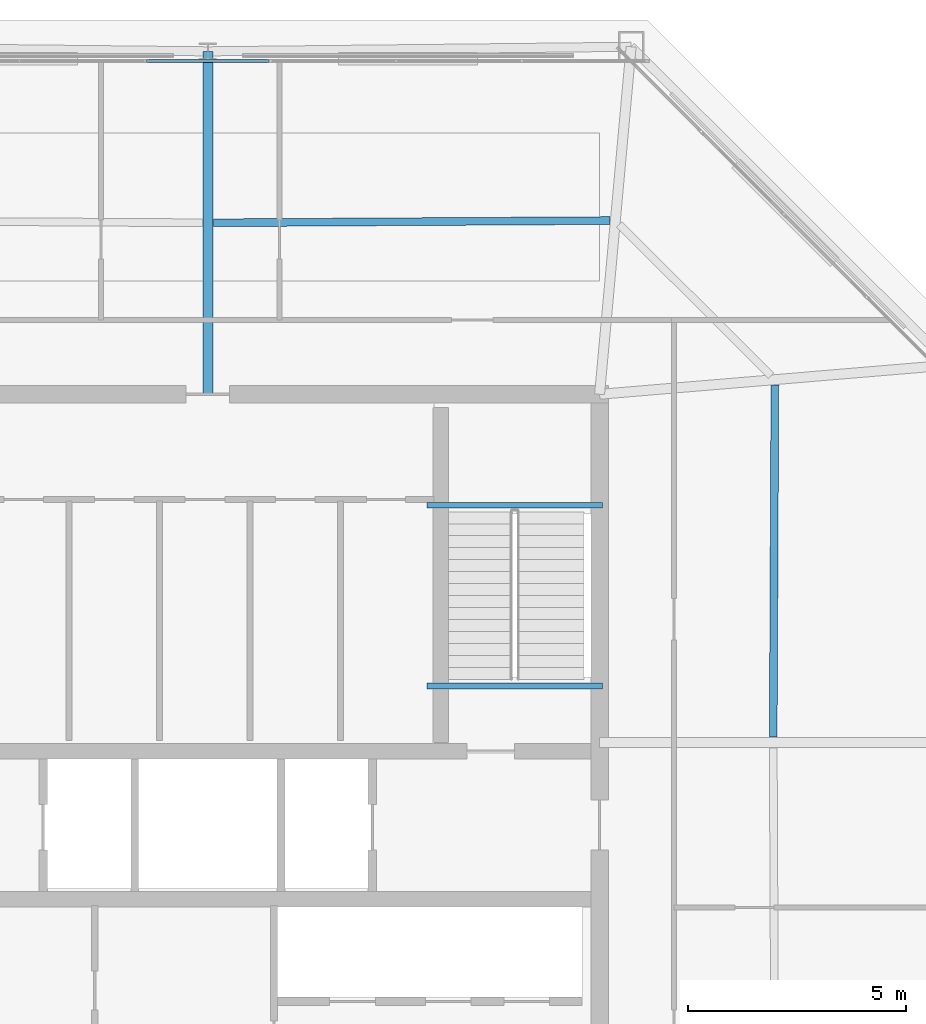
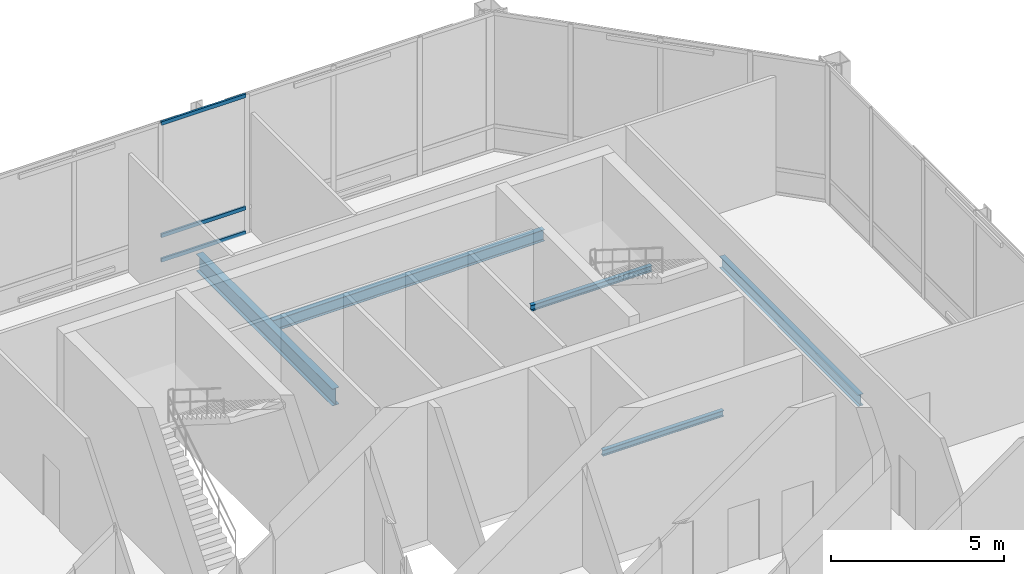
# One storey, part 12 of 21: 5 beams, 3 members, 1 element without a shape of its own.
"""IFC4 building model written with IfcOpenShell, lengths in metres."""

from ifc_helpers import new_model, si_unit, direction, frame, origin, origin_2d, place, context, subcontext, project, spatial, hollow_rectangle, i_section, extrude, material, layer, layer_set, material_profile, profile_set, type_object, element, aggregate, save


model = new_model("IFC4")

# Units and contexts
model_context = context("Model", 3, precision=1e-05, world=origin(), true_north=direction((0.0, 1.0)))
body_context = subcontext(model_context, "Body", "Model", "MODEL_VIEW")
ifc_project = project(units=[si_unit("LENGTHUNIT", "METRE"), si_unit("AREAUNIT", "SQUARE_METRE"), si_unit("VOLUMEUNIT", "CUBIC_METRE"), si_unit("PLANEANGLEUNIT", "RADIAN"), si_unit("MASSUNIT", "GRAM", prefix="KILO")], contexts=[model_context])

# Site, building, storey
site_placement = place(None, origin())
site = spatial("IfcSite", under=ifc_project, at=site_placement, CompositionType="ELEMENT")
building_placement = place(site_placement, origin())
building = spatial("IfcBuilding", under=site, at=building_placement, Name="Caelvoria Tower", CompositionType="ELEMENT")
storey_placement = place(building_placement, frame((0.0, 0.0, 279.0)))
storey = spatial("IfcBuildingStorey", under=building, at=storey_placement, Name="L74", CompositionType="ELEMENT", Elevation=279.0)

# Beams
ifc_material_1 = material(Name="Structural Steel ASTM A992 Gr.50", Category="steel")
ifc_material_profile_1 = material_profile(ifc_material_1, i_section(OverallWidth=0.134033203125, OverallDepth=0.2099609375, WebThickness=0.00634765625, FlangeThickness=0.01025390625, FilletRadius=0.010009765625, at=origin_2d()), Name="Structural Steel ASTM A992 Gr.50")
ifc_profile_set_1 = profile_set([ifc_material_profile_1], Name="W200X31.3 - Structural Steel ASTM A992 Gr.50")
beam_type_1 = type_object("IfcBeamType", Name="Canopy Edge Trim Beam W200X31.3", PredefinedType="BEAM", material=ifc_profile_set_1)
for number, where, z_axis, x_axis, name in (
    (1, (51.030029296875, 37.449951171875, 2.294921875), (1.0, 0.0, 0.0), (0.0, 1.0, 0.0), "ST-02 Half-Landing Support Beam L74"),
    (2, (51.030029296875, 33.300048828125, -0.304931640625), (1.0, 0.0, 0.0), (0.0, 1.0, 0.0), "ST-02 Floor-Landing Support Beam L74"),
):
    element("IfcBeam", number, at=place(storey_placement, frame(where, z_axis=z_axis, x_axis=x_axis)), inside=storey, type_object=beam_type_1, Name=name, PredefinedType="BEAM", context=body_context, shape_type="SweptSolid", body=[
        extrude(i_section(OverallWidth=0.134033203125, OverallDepth=0.2099609375, WebThickness=0.00634765625, FlangeThickness=0.01025390625, FilletRadius=0.010009765625, at=origin_2d()), origin(), (0.0, 0.0, 1.0), 4.0400390625),
    ])

# Curtain wall, members
ifc_material_2 = material(Name="Anodised Bronze Aluminium and Low-E Glass", Category="aluminium")
ifc_layer = layer(ifc_material_2, 0.205078125, Name="Anodised Bronze Aluminium and Low-E Glass")
ifc_layer_set = layer_set([ifc_layer], Name="CW System 5 Observation Panorama Low-Iron Facade - Anodised Bronze Aluminium and Low-E Glass")
curtain_wall_type = type_object("IfcCurtainWallType", Name="CW System 5 Observation Panorama Low-Iron Facade", PredefinedType="NOTDEFINED", material=ifc_layer_set)
curtain_wall_placement = place(storey_placement, origin())
curtain_wall = element("IfcCurtainWall", 3, at=curtain_wall_placement, inside=storey, type_object=curtain_wall_type, Name="CW-05 Curtain Wall L74-E4", PredefinedType="NOTDEFINED")
ifc_material_3 = material(Name="Anodised Bronze Architectural Aluminium", Category="aluminium")
ifc_material_profile_2 = material_profile(ifc_material_3, hollow_rectangle(XDim=0.06494140625, YDim=0.1298828125, WallThickness=0.00341796875, at=origin_2d()), Name="Anodised Bronze Architectural Aluminium")
ifc_profile_set_2 = profile_set([ifc_material_profile_2], Name="CW_TRAN_65X130 - Anodised Bronze Architectural Aluminium")
member_type = type_object("IfcMemberType", Name="Curtain Wall Transom 65x130 Bronze Aluminium", PredefinedType="USERDEFINED", material=ifc_profile_set_2)
member_1_placement = place(storey_placement, frame((47.410400390625, 47.659912109375, 0.032470703125), z_axis=(-1.0, 0.0, 0.0), x_axis=(0.0, -1.0, 0.0)))
member_1 = element("IfcMember", 4, at=member_1_placement, type_object=member_type, Name="CW-05 transom 4.1", ObjectType="TRANSOM", PredefinedType="USERDEFINED", context=body_context, shape_type="SweptSolid", body=[
    extrude(hollow_rectangle(XDim=0.06494140625, YDim=0.1298828125, WallThickness=0.00341796875, at=origin_2d()), origin(), (0.0, 0.0, 1.0), 2.82080078125),
])
member_2_placement = place(storey_placement, frame((47.410400390625, 47.659912109375, 0.89990234375), z_axis=(-1.0, 0.0, 0.0), x_axis=(0.0, -1.0, 0.0)))
member_2 = element("IfcMember", 5, at=member_2_placement, type_object=member_type, Name="CW-05 transom 4.2", ObjectType="TRANSOM", PredefinedType="USERDEFINED", context=body_context, shape_type="SweptSolid", body=[
    extrude(hollow_rectangle(XDim=0.06494140625, YDim=0.1298828125, WallThickness=0.00341796875, at=origin_2d()), origin(), (0.0, 0.0, 1.0), 2.82080078125),
])
member_3_placement = place(storey_placement, frame((47.410400390625, 47.659912109375, 4.867431640625), z_axis=(-1.0, 0.0, 0.0), x_axis=(0.0, -1.0, 0.0)))
member_3 = element("IfcMember", 6, at=member_3_placement, type_object=member_type, Name="CW-05 transom 4.3", ObjectType="TRANSOM", PredefinedType="USERDEFINED", context=body_context, shape_type="SweptSolid", body=[
    extrude(hollow_rectangle(XDim=0.06494140625, YDim=0.1298828125, WallThickness=0.00341796875, at=origin_2d()), origin(), (0.0, 0.0, 1.0), 2.82080078125),
])
aggregate(curtain_wall, [member_1, member_2, member_3])

# Beams
ifc_material_profile_3 = material_profile(ifc_material_1, i_section(OverallWidth=0.22802734375, OverallDepth=0.60302734375, WebThickness=0.010498046875, FlangeThickness=0.014892578125, FilletRadius=0.01806640625, at=origin_2d()), Name="Structural Steel ASTM A992 Gr.50")
ifc_profile_set_3 = profile_set([ifc_material_profile_3], Name="W610X101 - Structural Steel ASTM A992 Gr.50")
beam_type_2 = type_object("IfcBeamType", Name="Primary Floor Girder W610X101", PredefinedType="BEAM", material=ifc_profile_set_3)
beam_1_placement = place(storey_placement, frame((46.0, 40.0, -0.6416015625), z_axis=(0.0, 1.0, 0.0), x_axis=(-1.0, 0.0, 0.0)))
element("IfcBeam", 7, at=beam_1_placement, inside=storey, type_object=beam_type_2, Name="Primary Floor Girder L74-07", PredefinedType="BEAM", context=body_context, shape_type="SweptSolid", body=[
    extrude(i_section(OverallWidth=0.22802734375, OverallDepth=0.60302734375, WebThickness=0.010498046875, FlangeThickness=0.014892578125, FilletRadius=0.01806640625, at=origin_2d()), origin(), (0.0, 0.0, 1.0), 7.8798828125),
])
ifc_material_profile_4 = material_profile(ifc_material_1, i_section(OverallWidth=0.177978515625, OverallDepth=0.406982421875, WebThickness=0.0078125, FlangeThickness=0.0126953125, FilletRadius=0.013916015625, at=origin_2d()), Name="Structural Steel ASTM A992 Gr.50")
ifc_profile_set_4 = profile_set([ifc_material_profile_4], Name="W410X60 - Structural Steel ASTM A992 Gr.50")
beam_type_3 = type_object("IfcBeamType", Name="Secondary Floor Beam W410X60", PredefinedType="BEAM", material=ifc_profile_set_4)
beam_2_placement = place(storey_placement, frame((58.990478515625, 32.125, -0.54345703125), z_axis=(0.00470952391, 0.999988910131, 0.0), x_axis=(-0.999988910131, 0.00470952391, 0.0)))
element("IfcBeam", 8, at=beam_2_placement, inside=storey, type_object=beam_type_3, Name="Secondary Floor Beam L74-04", PredefinedType="BEAM", context=body_context, shape_type="SweptSolid", body=[
    extrude(i_section(OverallWidth=0.177978515625, OverallDepth=0.406982421875, WebThickness=0.0078125, FlangeThickness=0.0126953125, FilletRadius=0.013916015625, at=origin_2d()), origin(), (0.0, 0.0, 1.0), 8.0869140625),
])
beam_3_placement = place(storey_placement, frame((55.23779296875, 43.99169921875, -0.54345703125), z_axis=(-0.999984324209, -0.005599226377, 0.0), x_axis=(0.005599226377, -0.999984324209, 0.0)))
element("IfcBeam", 9, at=beam_3_placement, inside=storey, type_object=beam_type_3, Name="Secondary Floor Beam L74-06", PredefinedType="BEAM", context=body_context, shape_type="SweptSolid", body=[
    extrude(i_section(OverallWidth=0.177978515625, OverallDepth=0.406982421875, WebThickness=0.0078125, FlangeThickness=0.0126953125, FilletRadius=0.013916015625, at=origin_2d()), origin(), (0.0, 0.0, 1.0), 9.113037109375),
])

save(model, "model.ifc")
